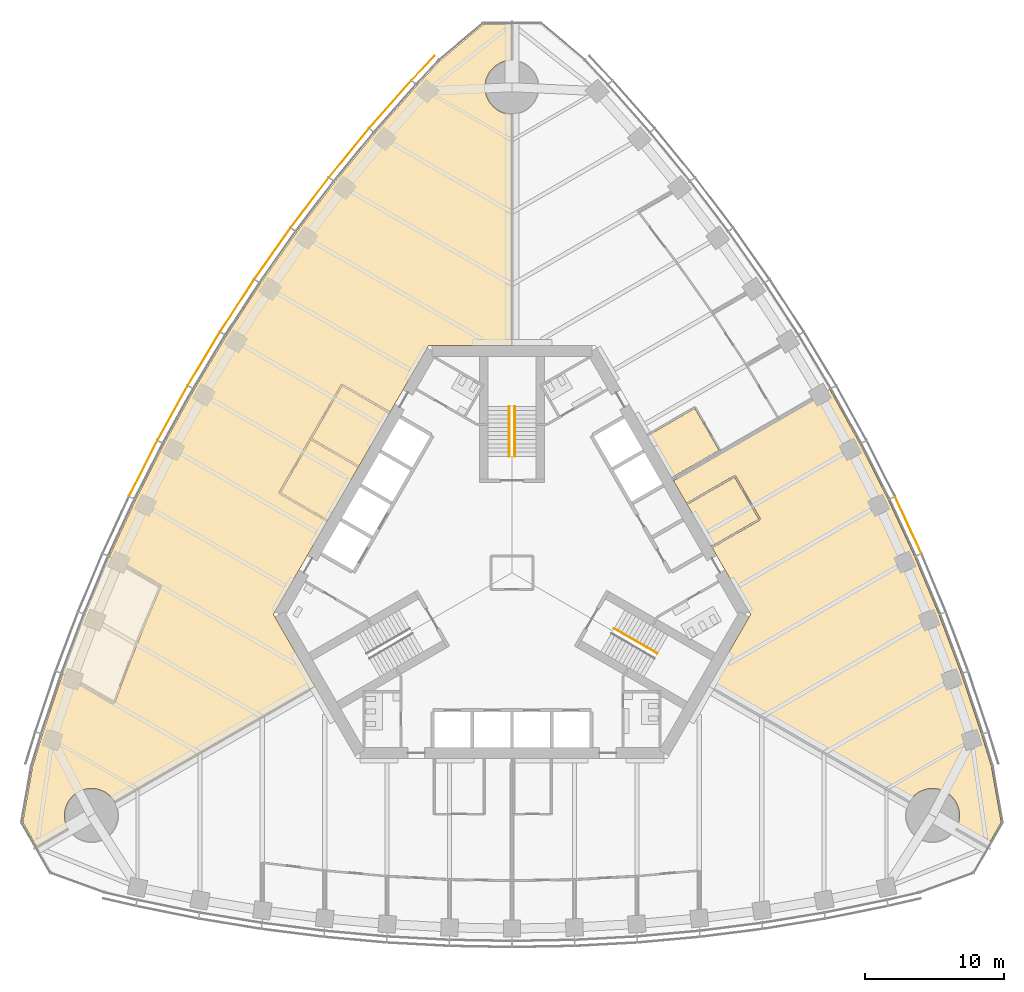
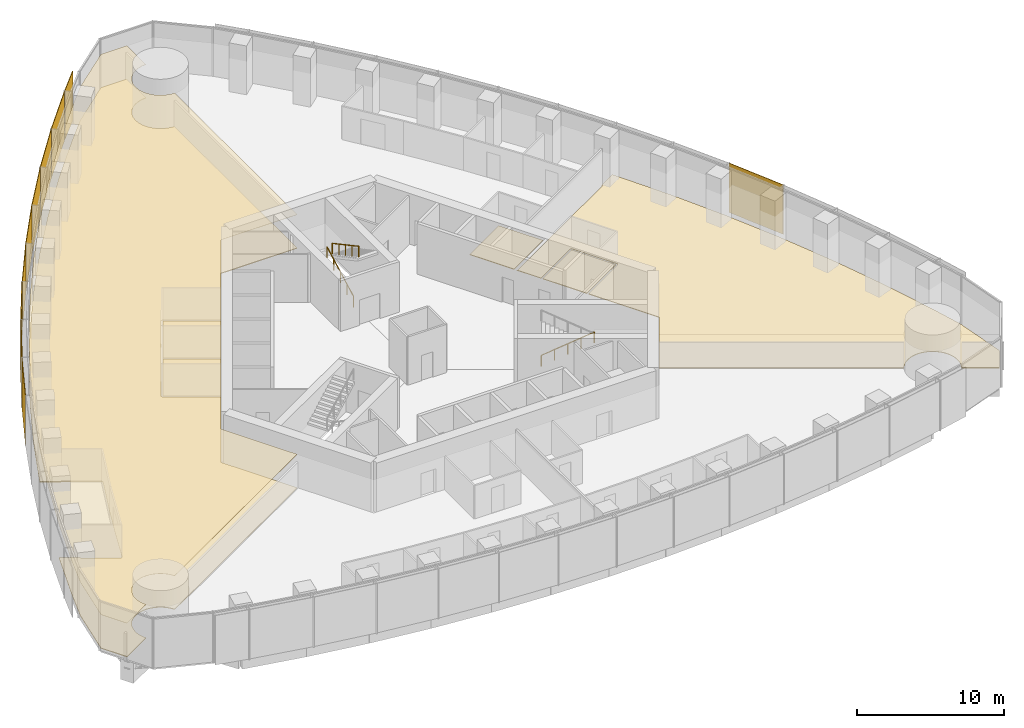
# One storey, part 16 of 19: 10 shading devices, 7 coverings, 3 railings.
"""IFC4 building model written with IfcOpenShell, lengths in metres."""

import ifcopenshell
import ifcopenshell.guid

model = None  # the IFC model being written
_history = None  # IfcOwnerHistory: only IFC2X3 demands one
_inside = {}  # id of a spatial element -> (the spatial element, [elements in it])
_under = {}  # id of a project, library or spatial element -> (it, [spatial elements below it])
_declared = {}  # id of a project -> (the project, [libraries it declares])
_typed = {}  # id of a type object -> (the type object, [elements of that type])
_made_of = {}  # id of a material, layer set ... -> (it, [elements and type objects made of it])


def new_model(schema):
    """Start an empty IFC model of exactly this schema.

    Asked for "IFC4X3", IfcOpenShell would pick the latest addendum, in which some entities
    have other attributes; the version numbers below select the first issue.
    IFC2X3 requires an IfcOwnerHistory on every rooted entity: one is made here for all.
    """
    global model, _history
    if schema == "IFC4X3":
        model = ifcopenshell.file(schema_version=(4, 3, 0, 0))
    else:
        model = ifcopenshell.file(schema=schema)
    _inside.clear()
    _under.clear()
    _declared.clear()
    _typed.clear()
    _made_of.clear()
    _history = None
    if model.schema == "IFC2X3":
        org = make("IfcOrganization", Name="unknown")
        user = make(
            "IfcPersonAndOrganization",
            ThePerson=make("IfcPerson", FamilyName="unknown"),
            TheOrganization=org,
        )
        app = make(
            "IfcApplication",
            ApplicationDeveloper=org,
            Version="unknown",
            ApplicationFullName="unknown",
            ApplicationIdentifier="unknown",
        )
        _history = make(
            "IfcOwnerHistory",
            OwningUser=user,
            OwningApplication=app,
            ChangeAction="ADDED",
            CreationDate=0,
        )
    return model


def make(cls, **values):
    """One entity of the class cls with the attributes given. An attribute that is None is left unset."""
    return model.create_entity(
        cls, **{name: value for name, value in values.items() if value is not None}
    )


def rooted(cls, **values):
    """An entity with a GlobalId (a new one), such as an element, a storey or a relation."""
    return make(cls, GlobalId=ifcopenshell.guid.new(), OwnerHistory=_history, **values)


def si_unit(unit_type, name, prefix=None):
    """IfcSIUnit, for example si_unit("LENGTHUNIT", "METRE", prefix="MILLI")."""
    return make("IfcSIUnit", UnitType=unit_type, Prefix=prefix, Name=name)


def assignment(units):
    """IfcUnitAssignment: the units of a project."""
    return None if units is None else make("IfcUnitAssignment", Units=units)


def point(xyz):
    """IfcCartesianPoint."""
    return None if xyz is None else make("IfcCartesianPoint", Coordinates=xyz)


def direction(xyz):
    """IfcDirection."""
    return None if xyz is None else make("IfcDirection", DirectionRatios=xyz)


def frame(location, z_axis=None, x_axis=None):
    """IfcAxis2Placement3D, a coordinate frame: its origin and axes. An axis left out is left unset."""
    return make(
        "IfcAxis2Placement3D",
        Location=point(location),
        Axis=direction(z_axis),
        RefDirection=direction(x_axis),
    )


def frame_2d(location, x_axis=None):
    """IfcAxis2Placement2D, a coordinate frame in the plane: its origin and x axis."""
    return make(
        "IfcAxis2Placement2D", Location=point(location), RefDirection=direction(x_axis)
    )


def origin():
    """The frame at (0, 0, 0) with its axes left unset."""
    return frame((0.0, 0.0, 0.0))


def origin_2d():
    """The frame at (0, 0) in the plane with its x axis left unset."""
    return frame_2d((0.0, 0.0))


def place(relative_to, where):
    """IfcLocalPlacement: puts the frame where relative to a parent placement (None: the world)."""
    return make(
        "IfcLocalPlacement", PlacementRelTo=relative_to, RelativePlacement=where
    )


def context(
    kind, dimensions, precision=None, world=None, true_north=None, identifier=None
):
    """IfcGeometricRepresentationContext, for example the 3D "Model" context."""
    return make(
        "IfcGeometricRepresentationContext",
        ContextIdentifier=identifier,
        ContextType=kind,
        CoordinateSpaceDimension=dimensions,
        Precision=precision,
        WorldCoordinateSystem=world,
        TrueNorth=true_north,
    )


def subcontext(parent, identifier, kind, view, scale=None):
    """IfcGeometricRepresentationSubContext, for example "Body" below "Model"."""
    return make(
        "IfcGeometricRepresentationSubContext",
        ContextIdentifier=identifier,
        ContextType=kind,
        ParentContext=parent,
        TargetScale=scale,
        TargetView=view,
    )


def project(units=None, contexts=None):
    """IfcProject with its units and contexts."""
    return rooted(
        "IfcProject",
        Name="project",
        RepresentationContexts=contexts,
        UnitsInContext=assignment(units),
    )


def spatial(cls, under=None, at=None, **own):
    """A site, building, storey or space (cls), placed at a placement, below another one or the project."""
    s = rooted(cls, ObjectPlacement=at, **own)
    if under is not None:
        _under.setdefault(under.id(), (under, []))[1].append(s)
    return s


def polyline(points):
    """IfcPolyline through the points."""
    return make("IfcPolyline", Points=[point(p) for p in points])


def profile(cls, at=None, kind="AREA", **sizes):
    """A parametric profile (cls). Its sizes go by their IFC names, for example OverallWidth=200.0."""
    return make(cls, ProfileType=kind, Position=at, **sizes)


def rectangle(**sizes):
    """IfcRectangleProfileDef."""
    return profile("IfcRectangleProfileDef", **sizes)


def circle(**sizes):
    """IfcCircleProfileDef."""
    return profile("IfcCircleProfileDef", **sizes)


def outline(outer, holes=None, kind="AREA"):
    """IfcArbitraryClosedProfileDef: a profile drawn as a closed curve; with holes, ...WithVoids."""
    if holes is None:
        return make("IfcArbitraryClosedProfileDef", ProfileType=kind, OuterCurve=outer)
    return make(
        "IfcArbitraryProfileDefWithVoids",
        ProfileType=kind,
        OuterCurve=outer,
        InnerCurves=holes,
    )


def extrude(swept, where, along, depth):
    """IfcExtrudedAreaSolid: the profile swept, set in the frame where, extruded along a direction by depth."""
    return make(
        "IfcExtrudedAreaSolid",
        SweptArea=swept,
        Position=where,
        ExtrudedDirection=direction(along),
        Depth=depth,
    )


def shape(context_of_items, identifier, shape_type, items):
    """IfcShapeRepresentation: the items that make up one representation, for example the "Body"."""
    return make(
        "IfcShapeRepresentation",
        ContextOfItems=context_of_items,
        RepresentationIdentifier=identifier,
        RepresentationType=shape_type,
        Items=items,
    )


def material(Name=None, Category=None):
    """IfcMaterial."""
    return make("IfcMaterial", Name=Name, Category=Category)


def layer(
    of_material, thickness, ventilated=None, Name=None, Category=None, Priority=None
):
    """IfcMaterialLayer: one layer of a wall or slab, of a material (None: an air gap)."""
    return make(
        "IfcMaterialLayer",
        Material=of_material,
        LayerThickness=thickness,
        IsVentilated=ventilated,
        Name=Name,
        Category=Category,
        Priority=Priority,
    )


def layer_set(layers, Name=None):
    """IfcMaterialLayerSet."""
    return make("IfcMaterialLayerSet", MaterialLayers=layers, LayerSetName=Name)


def made_of(thing, what):
    """Note that an element or type object is made of a material, layer set ...; save() writes the relation."""
    if what is not None:
        _made_of.setdefault(what.id(), (what, []))[1].append(thing)
    return thing


def type_object(cls, material=None, **own):
    """A type object (cls), such as IfcWallType, which elements share."""
    return made_of(rooted(cls, **own), material)


def element(
    cls,
    number,
    at=None,
    inside=None,
    cuts=None,
    type_object=None,
    material=None,
    context=None,
    identifier="Body",
    shape_type=None,
    held_by="IfcProductDefinitionShape",
    body=None,
    shapes=None,
    **own,
):
    """One element of the class cls, such as IfcWall. Its Tag is "e" and its number.

    at: its placement. inside: the storey or other place that contains it. cuts: it is an
    opening in that element (IfcRelVoidsElement). A single representation is given by context,
    identifier, shape_type and body (its items); several are given by shapes. held_by: the class
    of the entity that holds the representations. save() writes the other relations.
    """
    e = rooted(cls, Tag="e%d" % number, ObjectPlacement=at, **own)
    if body is not None:
        shapes = [shape(context, identifier, shape_type, body)]
    if shapes is not None:
        e.Representation = make(held_by, Representations=shapes)
    if inside is not None:
        _inside.setdefault(inside.id(), (inside, []))[1].append(e)
    if cuts is not None:
        rooted(
            "IfcRelVoidsElement", RelatingBuildingElement=cuts, RelatedOpeningElement=e
        )
    if type_object is not None:
        _typed.setdefault(type_object.id(), (type_object, []))[1].append(e)
    return made_of(e, material)


def aggregate(whole, parts):
    """IfcRelAggregates: a whole, such as a stair, and the parts it consists of."""
    return rooted("IfcRelAggregates", RelatingObject=whole, RelatedObjects=parts)


def save(model, path):
    """Write the relations noted so far, then the file.

    IfcRelAggregates (storeys below a building ...), IfcRelContainedInSpatialStructure (elements
    in a storey), IfcRelDefinesByType, IfcRelAssociatesMaterial and IfcRelDeclares: one each for
    every whole, place, type object, material and project.
    """
    for whole, parts in _under.values():
        aggregate(whole, parts)
    for where, things in _inside.values():
        rooted(
            "IfcRelContainedInSpatialStructure",
            RelatedElements=things,
            RelatingStructure=where,
        )
    for kind, things in _typed.values():
        rooted("IfcRelDefinesByType", RelatedObjects=things, RelatingType=kind)
    for what, things in _made_of.values():
        rooted("IfcRelAssociatesMaterial", RelatedObjects=things, RelatingMaterial=what)
    for by, libraries in _declared.values():
        rooted("IfcRelDeclares", RelatingContext=by, RelatedDefinitions=libraries)
    model.write(path)


model = new_model("IFC4")

# Units and contexts
model_context = context("Model", 3, precision=1e-05, world=origin(), true_north=direction((0.0, 1.0)))
body_context = subcontext(model_context, "Body", "Model", "MODEL_VIEW")
ifc_project = project(units=[si_unit("LENGTHUNIT", "METRE"), si_unit("AREAUNIT", "SQUARE_METRE"), si_unit("VOLUMEUNIT", "CUBIC_METRE"), si_unit("PLANEANGLEUNIT", "RADIAN"), si_unit("MASSUNIT", "GRAM", prefix="KILO")], contexts=[model_context])

# Site, building, storey
site_placement = place(None, origin())
site = spatial("IfcSite", under=ifc_project, at=site_placement, CompositionType="ELEMENT")
building_placement = place(site_placement, origin())
building = spatial("IfcBuilding", under=site, at=building_placement, Name="Trefoil Bronze Tower", CompositionType="ELEMENT")
storey_placement = place(building_placement, frame((0.0, 0.0, 140.89990234375)))
storey = spatial("IfcBuildingStorey", under=building, at=storey_placement, Name="L32", CompositionType="ELEMENT", Elevation=140.89990234375)

# Shading devices
ifc_material_1 = material(Name="Perforated bronze sheet", Category="bronze")
ifc_layer_1 = layer(ifc_material_1, 0.0400390625)
ifc_layer_set_1 = layer_set([ifc_layer_1], Name="Bronze solar screen panel")
shading_device_type = type_object("IfcShadingDeviceType", Name="Bronze solar screen panel", PredefinedType="SHUTTER", material=ifc_layer_set_1)
shading_device_1_placement = place(storey_placement, frame((28.563720703125, 3.444580078125, 0.050048828125), z_axis=(0.0, 0.0, 1.0), x_axis=(-0.419932995871, 0.907555110712, 0.0)))
element("IfcShadingDevice", 1, at=shading_device_1_placement, inside=storey, type_object=shading_device_type, Name="Solar screen CW-A L32 F2 bay 5", PredefinedType="SHUTTER", context=body_context, shape_type="SweptSolid", body=[
    extrude(rectangle(XDim=4.48828125, YDim=0.0400390625, at=origin_2d()), origin(), (0.0, 0.0, 1.0), 4.10009765625),
])
shading_device_2_placement = place(storey_placement, frame((-6.416748046875, 36.383544921875, 0.050048828125), z_axis=(0.0, 0.0, 1.0), x_axis=(-0.682535770759, -0.730852188636, 0.0)))
element("IfcShadingDevice", 2, at=shading_device_2_placement, inside=storey, type_object=shading_device_type, Name="Solar screen CW-A L32 F3 bay 1", PredefinedType="SHUTTER", context=body_context, shape_type="SweptSolid", body=[
    extrude(rectangle(XDim=2.39013671875, YDim=0.0400390625, at=origin_2d()), origin(), (0.0, 0.0, 1.0), 4.10009765625),
])
shading_device_3_placement = place(storey_placement, frame((-8.77197265625, 33.766845703125, 0.050048828125), z_axis=(0.0, 0.0, 1.0), x_axis=(-0.661751405978, -0.749723333428, 0.0)))
element("IfcShadingDevice", 3, at=shading_device_3_placement, inside=storey, type_object=shading_device_type, Name="Solar screen CW-A L32 F3 bay 2", PredefinedType="SHUTTER", context=body_context, shape_type="SweptSolid", body=[
    extrude(rectangle(XDim=4.56103515625, YDim=0.0400390625, at=origin_2d()), origin(), (0.0, 0.0, 1.0), 4.10009765625),
])
shading_device_4_placement = place(storey_placement, frame((-11.7490234375, 30.26708984375, 0.050048828125), z_axis=(0.0, 0.0, 1.0), x_axis=(-0.633839916024, -0.773464259584, 0.0)))
element("IfcShadingDevice", 4, at=shading_device_4_placement, inside=storey, type_object=shading_device_type, Name="Solar screen CW-A L32 F3 bay 3", PredefinedType="SHUTTER", context=body_context, shape_type="SweptSolid", body=[
    extrude(rectangle(XDim=4.5302734375, YDim=0.0400390625, at=origin_2d()), origin(), (0.0, 0.0, 1.0), 4.10009765625),
])
shading_device_5_placement = place(storey_placement, frame((-14.579345703125, 26.6826171875, 0.050048828125), z_axis=(0.0, 0.0, 1.0), x_axis=(-0.605252319983, -0.796033685943, 0.0)))
element("IfcShadingDevice", 5, at=shading_device_5_placement, inside=storey, type_object=shading_device_type, Name="Solar screen CW-A L32 F3 bay 4", PredefinedType="SHUTTER", context=body_context, shape_type="SweptSolid", body=[
    extrude(rectangle(XDim=4.50634765625, YDim=0.0400390625, at=origin_2d()), origin(), (0.0, 0.0, 1.0), 4.10009765625),
])
shading_device_6_placement = place(storey_placement, frame((-17.264892578125, 23.014404296875, 0.050048828125), z_axis=(0.0, 0.0, 1.0), x_axis=(-0.575999283275, -0.817450197667, 0.0)))
element("IfcShadingDevice", 6, at=shading_device_6_placement, inside=storey, type_object=shading_device_type, Name="Solar screen CW-A L32 F3 bay 5", PredefinedType="SHUTTER", context=body_context, shape_type="SweptSolid", body=[
    extrude(rectangle(XDim=4.48828125, YDim=0.0400390625, at=origin_2d()), origin(), (0.0, 0.0, 1.0), 4.10009765625),
])
shading_device_7_placement = place(storey_placement, frame((-19.8076171875, 19.263916015625, 0.050048828125), z_axis=(0.0, 0.0, 1.0), x_axis=(-0.546088612237, -0.837727418427, 0.0)))
element("IfcShadingDevice", 7, at=shading_device_7_placement, inside=storey, type_object=shading_device_type, Name="Solar screen CW-A L32 F3 bay 6", PredefinedType="SHUTTER", context=body_context, shape_type="SweptSolid", body=[
    extrude(rectangle(XDim=4.4765625, YDim=0.0400390625, at=origin_2d()), origin(), (0.0, 0.0, 1.0), 4.10009765625),
])
for number, where, z_axis, x_axis, name in (
    (8, (-22.208740234375, 15.431396484375, 0.050048828125), (0.0, 0.0, 1.0), (-0.515525413486, -0.856874289526, 0.0), "Solar screen CW-A L32 F3 bay 7"),
    (9, (-24.468505859375, 11.517578125, 0.050048828125), (0.0, 0.0, 1.0), (-0.484312195836, -0.874895249138, 0.0), "Solar screen CW-A L32 F3 bay 8"),
):
    element("IfcShadingDevice", number, at=place(storey_placement, frame(where, z_axis=z_axis, x_axis=x_axis)), inside=storey, type_object=shading_device_type, Name=name, PredefinedType="SHUTTER", context=body_context, shape_type="SweptSolid", body=[
        extrude(rectangle(XDim=4.470703125, YDim=0.0400390625, at=origin_2d()), origin(), (0.0, 0.0, 1.0), 4.10009765625),
    ])
shading_device_8_placement = place(storey_placement, frame((-26.5869140625, 7.52197265625, 0.050048828125), z_axis=(0.0, 0.0, 1.0), x_axis=(-0.452448919686, -0.891790320128, 0.0)))
element("IfcShadingDevice", 10, at=shading_device_8_placement, inside=storey, type_object=shading_device_type, Name="Solar screen CW-A L32 F3 bay 9", PredefinedType="SHUTTER", context=body_context, shape_type="SweptSolid", body=[
    extrude(rectangle(XDim=4.4765625, YDim=0.0400390625, at=origin_2d()), origin(), (0.0, 0.0, 1.0), 4.10009765625),
])

# Railings
ifc_material_2 = material(Name="Steel handrail", Category="steel")
railing_type = type_object("IfcRailingType", Name="Handrail 900", PredefinedType="HANDRAIL", material=ifc_material_2)
railing_1_placement = place(storey_placement, frame((7.365966796875, -4.021728515625, 0.16162109375)))
element("IfcRailing", 11, at=railing_1_placement, inside=storey, type_object=railing_type, Name="Handrail ST1 flight 1 L32", PredefinedType="HANDRAIL", context=body_context, shape_type="SweptSolid", body=[
    extrude(circle(Radius=0.02392578125, at=origin_2d()), frame((0.0, 0.0, 0.8759765625), z_axis=(0.76250339821, -0.440245697338, 0.474101564745), x_axis=(0.500012057535, 0.866018442252, 0.0)), (0.0, 0.0, 1.0), 4.088623046875),
    extrude(circle(Radius=0.02099609375, at=origin_2d()), origin(), (0.0, 0.0, 1.0), 0.851806640625),
    extrude(circle(Radius=0.02099609375, at=origin_2d()), frame((0.779296875, -0.449951171875, 0.484619140625)), (0.0, 0.0, 1.0), 0.851806640625),
    extrude(circle(Radius=0.02099609375, at=origin_2d()), frame((1.558837890625, -0.89990234375, 0.96923828125)), (0.0, 0.0, 1.0), 0.851806640625),
    extrude(circle(Radius=0.02099609375, at=origin_2d()), frame((2.33837890625, -1.35009765625, 1.453857421875)), (0.0, 0.0, 1.0), 0.851806640625),
    extrude(circle(Radius=0.02099609375, at=origin_2d()), frame((3.11767578125, -1.800048828125, 1.9384765625)), (0.0, 0.0, 1.0), 0.851806640625),
])
railing_2_placement = place(storey_placement, frame((-0.199951171875, 8.389892578125, 0.16162109375)))
element("IfcRailing", 12, at=railing_2_placement, inside=storey, type_object=railing_type, Name="Handrail ST2 flight 1 L32", PredefinedType="HANDRAIL", context=body_context, shape_type="SweptSolid", body=[
    extrude(circle(Radius=0.02392578125, at=origin_2d()), frame((0.0, 0.0, 0.8759765625), z_axis=(0.0, 0.880474934443, 0.474092701714), x_axis=(-1.0, 0.0, 0.0)), (0.0, 0.0, 1.0), 4.0888671875),
    extrude(circle(Radius=0.02099609375, at=origin_2d()), origin(), (0.0, 0.0, 1.0), 0.851806640625),
    extrude(circle(Radius=0.02099609375, at=origin_2d()), frame((0.0, 0.89990234375, 0.484619140625)), (0.0, 0.0, 1.0), 0.851806640625),
    extrude(circle(Radius=0.02099609375, at=origin_2d()), frame((0.0, 1.800048828125, 0.96923828125)), (0.0, 0.0, 1.0), 0.851806640625),
    extrude(circle(Radius=0.02099609375, at=origin_2d()), frame((0.0, 2.7001953125, 1.453857421875)), (0.0, 0.0, 1.0), 0.851806640625),
    extrude(circle(Radius=0.02099609375, at=origin_2d()), frame((0.0, 3.60009765625, 1.9384765625)), (0.0, 0.0, 1.0), 0.851806640625),
])
railing_3_placement = place(storey_placement, frame((0.199951171875, 11.989990234375, 2.26171875)))
element("IfcRailing", 13, at=railing_3_placement, inside=storey, type_object=railing_type, Name="Handrail ST2 flight 2 L32", PredefinedType="HANDRAIL", context=body_context, shape_type="SweptSolid", body=[
    extrude(circle(Radius=0.02392578125, at=origin_2d()), frame((0.0, 0.0, 0.8759765625), z_axis=(0.0, -0.880474934443, 0.474092701714), x_axis=(1.0, 0.0, 0.0)), (0.0, 0.0, 1.0), 4.0888671875),
    extrude(circle(Radius=0.02099609375, at=origin_2d()), origin(), (0.0, 0.0, 1.0), 0.851806640625),
    extrude(circle(Radius=0.02099609375, at=origin_2d()), frame((0.0, -0.89990234375, 0.484619140625)), (0.0, 0.0, 1.0), 0.851806640625),
    extrude(circle(Radius=0.02099609375, at=origin_2d()), frame((0.0, -1.800048828125, 0.96923828125)), (0.0, 0.0, 1.0), 0.851806640625),
    extrude(circle(Radius=0.02099609375, at=origin_2d()), frame((0.0, -2.7001953125, 1.453857421875)), (0.0, 0.0, 1.0), 0.851806640625),
    extrude(circle(Radius=0.02099609375, at=origin_2d()), frame((0.0, -3.60009765625, 1.9384765625)), (0.0, 0.0, 1.0), 0.851806640625),
])

# Coverings
ifc_material_3 = material(Name="Acoustic ceiling panels", Category="mineral fibre")
ifc_layer_2 = layer(ifc_material_3, 0.02001953125)
ifc_layer_set_2 = layer_set([ifc_layer_2], Name="Office ceiling 20")
covering_type_1 = type_object("IfcCoveringType", Name="Office ceiling 20", PredefinedType="CEILING", material=ifc_layer_set_2)
covering_1_placement = place(storey_placement, frame((0.0, 0.0, 2.900146484375)))
element("IfcCovering", 14, at=covering_1_placement, inside=storey, type_object=covering_type_1, Name="Ceiling L32 Open-plan office F3", PredefinedType="CEILING", context=body_context, shape_type="SweptSolid", body=[
    extrude(outline(polyline([(-33.847900390625, -11.634765625), (-32.385986328125, -7.28271484375), (-30.776611328125, -3.015625), (-29.022216796875, 1.16748046875), (-27.124755859375, 5.268310546875), (-25.085693359375, 9.287109375), (-22.906005859375, 13.224853515625), (-20.585693359375, 17.081298828125), (-18.124755859375, 20.856689453125), (-15.522216796875, 24.55029296875), (-12.776611328125, 28.1611328125), (-9.885986328125, 31.6884765625), (-6.847900390625, 35.130615234375), (-5.1962890625, 36.8994140625), (-2.052001953125, 39.53759765625), (-0.014892578125, 39.53759765625), (-0.013916015625, 36.94970703125), (-0.095703125, 36.94775390625), (-0.191162109375, 36.940673828125), (-0.2861328125, 36.928955078125), (-0.38037109375, 36.91259765625), (-0.473876953125, 36.8916015625), (-0.566162109375, 36.865966796875), (-0.656982421875, 36.8359375), (-0.74609375, 36.801513671875), (-0.833740234375, 36.7626953125), (-0.919189453125, 36.7197265625), (-1.00244140625, 36.672607421875), (-1.08349609375, 36.621337890625), (-1.16162109375, 36.56640625), (-1.237060546875, 36.50732421875), (-1.3095703125, 36.44482421875), (-1.37890625, 36.37890625), (-1.44482421875, 36.3095703125), (-1.50732421875, 36.237060546875), (-1.56640625, 36.16162109375), (-1.621337890625, 36.08349609375), (-1.672607421875, 36.00244140625), (-1.7197265625, 35.919189453125), (-1.7626953125, 35.833740234375), (-1.801513671875, 35.74609375), (-1.8359375, 35.656982421875), (-1.865966796875, 35.566162109375), (-1.8916015625, 35.473876953125), (-1.91259765625, 35.38037109375), (-1.928955078125, 35.2861328125), (-1.940673828125, 35.191162109375), (-1.94775390625, 35.095703125), (-1.949951171875, 35.0), (-1.94775390625, 34.904296875), (-1.940673828125, 34.808837890625), (-1.928955078125, 34.7138671875), (-1.91259765625, 34.61962890625), (-1.8916015625, 34.526123046875), (-1.865966796875, 34.433837890625), (-1.8359375, 34.343017578125), (-1.801513671875, 34.25390625), (-1.7626953125, 34.166259765625), (-1.7197265625, 34.080810546875), (-1.672607421875, 33.99755859375), (-1.621337890625, 33.91650390625), (-1.56640625, 33.83837890625), (-1.50732421875, 33.762939453125), (-1.44482421875, 33.6904296875), (-1.37890625, 33.62109375), (-1.3095703125, 33.55517578125), (-1.237060546875, 33.49267578125), (-1.16162109375, 33.43359375), (-1.08349609375, 33.378662109375), (-1.00244140625, 33.327392578125), (-0.919189453125, 33.2802734375), (-0.833740234375, 33.2373046875), (-0.74609375, 33.198486328125), (-0.656982421875, 33.1640625), (-0.566162109375, 33.134033203125), (-0.473876953125, 33.1083984375), (-0.38037109375, 33.08740234375), (-0.2861328125, 33.071044921875), (-0.191162109375, 33.059326171875), (-0.095703125, 33.05224609375), (-0.012451171875, 33.05029296875), (-0.006103515625, 16.39990234375), (-6.00439453125, 16.39990234375), (-17.205078125, -3.0), (-14.205810546875, -8.194580078125), (-28.628662109375, -16.514404296875), (-28.689453125, -16.41650390625), (-28.74462890625, -16.33837890625), (-28.803466796875, -16.262939453125), (-28.865966796875, -16.1904296875), (-28.931884765625, -16.12109375), (-29.001220703125, -16.05517578125), (-29.07373046875, -15.99267578125), (-29.1494140625, -15.93359375), (-29.2275390625, -15.878662109375), (-29.308349609375, -15.827392578125), (-29.3916015625, -15.7802734375), (-29.477294921875, -15.7373046875), (-29.564697265625, -15.698486328125), (-29.654052734375, -15.6640625), (-29.744873046875, -15.634033203125), (-29.837158203125, -15.6083984375), (-29.930419921875, -15.58740234375), (-30.02490234375, -15.571044921875), (-30.119873046875, -15.559326171875), (-30.215087890625, -15.55224609375), (-30.310791015625, -15.550048828125), (-30.406494140625, -15.55224609375), (-30.501953125, -15.559326171875), (-30.596923828125, -15.571044921875), (-30.69140625, -15.58740234375), (-30.78466796875, -15.6083984375), (-30.876953125, -15.634033203125), (-30.9677734375, -15.6640625), (-31.05712890625, -15.698486328125), (-31.14453125, -15.7373046875), (-31.22998046875, -15.7802734375), (-31.3134765625, -15.827392578125), (-31.394287109375, -15.878662109375), (-31.472412109375, -15.93359375), (-31.548095703125, -15.99267578125), (-31.620361328125, -16.05517578125), (-31.689697265625, -16.12109375), (-31.755615234375, -16.1904296875), (-31.818359375, -16.262939453125), (-31.877197265625, -16.33837890625), (-31.932373046875, -16.41650390625), (-31.9833984375, -16.49755859375), (-32.030517578125, -16.580810546875), (-32.07373046875, -16.666259765625), (-32.112548828125, -16.75390625), (-32.14697265625, -16.843017578125), (-32.177001953125, -16.933837890625), (-32.202392578125, -17.026123046875), (-32.223388671875, -17.11962890625), (-32.23974609375, -17.2138671875), (-32.25146484375, -17.308837890625), (-32.258544921875, -17.404296875), (-32.260986328125, -17.5), (-32.258544921875, -17.595703125), (-32.25146484375, -17.691162109375), (-32.23974609375, -17.7861328125), (-32.223388671875, -17.88037109375), (-32.202392578125, -17.973876953125), (-32.177001953125, -18.066162109375), (-32.14697265625, -18.156982421875), (-32.112548828125, -18.24609375), (-32.07373046875, -18.333740234375), (-32.030517578125, -18.419189453125), (-32.006103515625, -18.462646484375), (-34.247802734375, -19.755859375), (-35.2666015625, -17.99169921875), (-34.5537109375, -13.94970703125), (-33.847900390625, -11.634765625)])), origin(), (0.0, 0.0, 1.0), 0.02001953125),
])
ifc_material_4 = material(Name="Raised access floor panels", Category="steel")
ifc_layer_3 = layer(ifc_material_4, 0.050048828125)
ifc_layer_set_3 = layer_set([ifc_layer_3], Name="Raised access floor 150")
covering_type_2 = type_object("IfcCoveringType", Name="Raised access floor 150", PredefinedType="FLOORING", material=ifc_layer_set_3)
covering_2_placement = place(storey_placement, frame((0.0, 0.0, 0.10009765625)))
element("IfcCovering", 15, at=covering_2_placement, inside=storey, type_object=covering_type_2, Name="Raised floor L32 Meeting room F2", PredefinedType="FLOORING", context=body_context, shape_type="SweptSolid", body=[
    extrude(outline(polyline([(12.634765625, 4.916015625), (16.046875, 6.885986328125), (17.786865234375, 3.872314453125), (14.374755859375, 1.902099609375), (12.634765625, 4.916015625)])), origin(), (0.0, 0.0, 1.0), 0.050048828125),
])
covering_3_placement = place(storey_placement, frame((0.0, 0.0, 0.10009765625)))
element("IfcCovering", 16, at=covering_3_placement, inside=storey, type_object=covering_type_2, Name="Raised floor L32 Meeting room F2", PredefinedType="FLOORING", context=body_context, shape_type="SweptSolid", body=[
    extrude(outline(polyline([(9.772216796875, 9.8740234375), (13.184326171875, 11.843994140625), (14.92431640625, 8.830078125), (11.51220703125, 6.860107421875), (9.772216796875, 9.8740234375)])), origin(), (0.0, 0.0, 1.0), 0.050048828125),
])
covering_4_placement = place(storey_placement, frame((0.0, 0.0, 0.10009765625)))
element("IfcCovering", 17, at=covering_4_placement, inside=storey, type_object=covering_type_2, Name="Raised floor L32 Open-plan office F2", PredefinedType="FLOORING", context=body_context, shape_type="SweptSolid", body=[
    extrude(outline(polyline([(14.205810546875, -8.194580078125), (17.205078125, -3.0), (14.434814453125, 1.79833984375), (17.898681640625, 3.79833984375), (17.868896484375, 3.850341796875), (17.9208984375, 3.88037109375), (16.120849609375, 6.997802734375), (16.06884765625, 6.968017578125), (16.038818359375, 7.02001953125), (12.57470703125, 5.02001953125), (11.605224609375, 6.69921875), (11.614013671875, 6.7041015625), (11.65087890625, 6.639892578125), (21.68359375, 12.432373046875), (21.646484375, 12.49658203125), (22.906494140625, 13.22412109375), (25.085693359375, 9.287109375), (27.124755859375, 5.268310546875), (29.022216796875, 1.16748046875), (30.776611328125, -3.015625), (32.385986328125, -7.28271484375), (33.847900390625, -11.634765625), (34.5537109375, -13.94970703125), (35.2666015625, -17.99169921875), (34.247802734375, -19.755859375), (32.006103515625, -18.462646484375), (32.030517578125, -18.419189453125), (32.07373046875, -18.333740234375), (32.112548828125, -18.24609375), (32.14697265625, -18.156982421875), (32.177001953125, -18.066162109375), (32.202392578125, -17.973876953125), (32.223388671875, -17.88037109375), (32.23974609375, -17.7861328125), (32.25146484375, -17.691162109375), (32.258544921875, -17.595703125), (32.260986328125, -17.5), (32.258544921875, -17.404296875), (32.25146484375, -17.308837890625), (32.23974609375, -17.2138671875), (32.223388671875, -17.11962890625), (32.202392578125, -17.026123046875), (32.177001953125, -16.933837890625), (32.14697265625, -16.843017578125), (32.112548828125, -16.75390625), (32.07373046875, -16.666259765625), (32.030517578125, -16.580810546875), (31.9833984375, -16.49755859375), (31.932373046875, -16.41650390625), (31.877197265625, -16.33837890625), (31.818359375, -16.262939453125), (31.755615234375, -16.1904296875), (31.689697265625, -16.12109375), (31.620361328125, -16.05517578125), (31.548095703125, -15.99267578125), (31.472412109375, -15.93359375), (31.394287109375, -15.878662109375), (31.3134765625, -15.827392578125), (31.22998046875, -15.7802734375), (31.14453125, -15.7373046875), (31.05712890625, -15.698486328125), (30.9677734375, -15.6640625), (30.876953125, -15.634033203125), (30.78466796875, -15.6083984375), (30.69140625, -15.58740234375), (30.596923828125, -15.571044921875), (30.501953125, -15.559326171875), (30.406494140625, -15.55224609375), (30.310791015625, -15.550048828125), (30.215087890625, -15.55224609375), (30.119873046875, -15.559326171875), (30.02490234375, -15.571044921875), (29.930419921875, -15.58740234375), (29.837158203125, -15.6083984375), (29.744873046875, -15.634033203125), (29.654052734375, -15.6640625), (29.564697265625, -15.698486328125), (29.477294921875, -15.7373046875), (29.3916015625, -15.7802734375), (29.308349609375, -15.827392578125), (29.2275390625, -15.878662109375), (29.1494140625, -15.93359375), (29.07373046875, -15.99267578125), (29.001220703125, -16.05517578125), (28.931884765625, -16.12109375), (28.865966796875, -16.1904296875), (28.803466796875, -16.262939453125), (28.74462890625, -16.33837890625), (28.689453125, -16.41650390625), (28.628662109375, -16.514404296875), (14.205810546875, -8.194580078125)])), origin(), (0.0, 0.0, 1.0), 0.050048828125),
])
covering_5_placement = place(storey_placement, frame((0.0, 0.0, 0.10009765625)))
element("IfcCovering", 18, at=covering_5_placement, inside=storey, type_object=covering_type_2, Name="Raised floor L32 Project room F3", PredefinedType="FLOORING", context=body_context, shape_type="SweptSolid", body=[
    extrude(outline(polyline([(-11.024658203125, 7.70458984375), (-14.43701171875, 9.674560546875), (-12.246826171875, 13.4677734375), (-8.834716796875, 11.497802734375), (-11.024658203125, 7.70458984375)])), origin(), (0.0, 0.0, 1.0), 0.050048828125),
])
covering_6_placement = place(storey_placement, frame((0.0, 0.0, 0.10009765625)))
element("IfcCovering", 19, at=covering_6_placement, inside=storey, type_object=covering_type_2, Name="Raised floor L32 Project room F3", PredefinedType="FLOORING", context=body_context, shape_type="SweptSolid", body=[
    extrude(outline(polyline([(-13.274658203125, 3.8076171875), (-16.68701171875, 5.777587890625), (-14.496826171875, 9.57080078125), (-11.084716796875, 7.6005859375), (-13.274658203125, 3.8076171875)])), origin(), (0.0, 0.0, 1.0), 0.050048828125),
])
covering_7_placement = place(storey_placement, frame((0.0, 0.0, 0.10009765625)))
element("IfcCovering", 20, at=covering_7_placement, inside=storey, type_object=covering_type_2, Name="Raised floor L32 Open-plan office F3", PredefinedType="FLOORING", context=body_context, shape_type="SweptSolid", body=[
    extrude(outline(polyline([(-33.847900390625, -11.634765625), (-32.385986328125, -7.28271484375), (-31.105224609375, -8.022216796875), (-31.13525390625, -8.07421875), (-28.735595703125, -9.459716796875), (-28.70556640625, -9.40771484375), (-28.6494140625, -9.4287109375), (-27.48388671875, -6.33837890625), (-26.556884765625, -4.01025390625), (-25.286376953125, -0.980712890625), (-25.341796875, -0.95751953125), (-25.311767578125, -0.905517578125), (-27.724853515625, 0.48779296875), (-27.7548828125, 0.435791015625), (-29.022216796875, 1.16748046875), (-27.124755859375, 5.268310546875), (-25.085693359375, 9.287109375), (-22.906005859375, 13.224853515625), (-20.585693359375, 17.081298828125), (-18.124755859375, 20.856689453125), (-15.522216796875, 24.55029296875), (-12.776611328125, 28.1611328125), (-9.885986328125, 31.6884765625), (-6.847900390625, 35.130615234375), (-5.1962890625, 36.8994140625), (-2.052001953125, 39.53759765625), (-0.014892578125, 39.53759765625), (-0.013916015625, 36.94970703125), (-0.095703125, 36.94775390625), (-0.191162109375, 36.940673828125), (-0.2861328125, 36.928955078125), (-0.38037109375, 36.91259765625), (-0.473876953125, 36.8916015625), (-0.566162109375, 36.865966796875), (-0.656982421875, 36.8359375), (-0.74609375, 36.801513671875), (-0.833740234375, 36.7626953125), (-0.919189453125, 36.7197265625), (-1.00244140625, 36.672607421875), (-1.08349609375, 36.621337890625), (-1.16162109375, 36.56640625), (-1.237060546875, 36.50732421875), (-1.3095703125, 36.44482421875), (-1.37890625, 36.37890625), (-1.44482421875, 36.3095703125), (-1.50732421875, 36.237060546875), (-1.56640625, 36.16162109375), (-1.621337890625, 36.08349609375), (-1.672607421875, 36.00244140625), (-1.7197265625, 35.919189453125), (-1.7626953125, 35.833740234375), (-1.801513671875, 35.74609375), (-1.8359375, 35.656982421875), (-1.865966796875, 35.566162109375), (-1.8916015625, 35.473876953125), (-1.91259765625, 35.38037109375), (-1.928955078125, 35.2861328125), (-1.940673828125, 35.191162109375), (-1.94775390625, 35.095703125), (-1.949951171875, 35.0), (-1.94775390625, 34.904296875), (-1.940673828125, 34.808837890625), (-1.928955078125, 34.7138671875), (-1.91259765625, 34.61962890625), (-1.8916015625, 34.526123046875), (-1.865966796875, 34.433837890625), (-1.8359375, 34.343017578125), (-1.801513671875, 34.25390625), (-1.7626953125, 34.166259765625), (-1.7197265625, 34.080810546875), (-1.672607421875, 33.99755859375), (-1.621337890625, 33.91650390625), (-1.56640625, 33.83837890625), (-1.50732421875, 33.762939453125), (-1.44482421875, 33.6904296875), (-1.37890625, 33.62109375), (-1.3095703125, 33.55517578125), (-1.237060546875, 33.49267578125), (-1.16162109375, 33.43359375), (-1.08349609375, 33.378662109375), (-1.00244140625, 33.327392578125), (-0.919189453125, 33.2802734375), (-0.833740234375, 33.2373046875), (-0.74609375, 33.198486328125), (-0.656982421875, 33.1640625), (-0.566162109375, 33.134033203125), (-0.473876953125, 33.1083984375), (-0.38037109375, 33.08740234375), (-0.2861328125, 33.071044921875), (-0.191162109375, 33.059326171875), (-0.095703125, 33.05224609375), (-0.012451171875, 33.05029296875), (-0.006103515625, 16.39990234375), (-6.00439453125, 16.39990234375), (-8.774658203125, 11.601806640625), (-12.23876953125, 13.601806640625), (-12.268798828125, 13.5498046875), (-12.32080078125, 13.57958984375), (-16.82080078125, 5.785400390625), (-16.768798828125, 5.755615234375), (-16.798828125, 5.70361328125), (-13.334716796875, 3.70361328125), (-17.205078125, -3.0), (-14.205810546875, -8.194580078125), (-28.628662109375, -16.514404296875), (-28.689453125, -16.41650390625), (-28.74462890625, -16.33837890625), (-28.803466796875, -16.262939453125), (-28.865966796875, -16.1904296875), (-28.931884765625, -16.12109375), (-29.001220703125, -16.05517578125), (-29.07373046875, -15.99267578125), (-29.1494140625, -15.93359375), (-29.2275390625, -15.878662109375), (-29.308349609375, -15.827392578125), (-29.3916015625, -15.7802734375), (-29.477294921875, -15.7373046875), (-29.564697265625, -15.698486328125), (-29.654052734375, -15.6640625), (-29.744873046875, -15.634033203125), (-29.837158203125, -15.6083984375), (-29.930419921875, -15.58740234375), (-30.02490234375, -15.571044921875), (-30.119873046875, -15.559326171875), (-30.215087890625, -15.55224609375), (-30.310791015625, -15.550048828125), (-30.406494140625, -15.55224609375), (-30.501953125, -15.559326171875), (-30.596923828125, -15.571044921875), (-30.69140625, -15.58740234375), (-30.78466796875, -15.6083984375), (-30.876953125, -15.634033203125), (-30.9677734375, -15.6640625), (-31.05712890625, -15.698486328125), (-31.14453125, -15.7373046875), (-31.22998046875, -15.7802734375), (-31.3134765625, -15.827392578125), (-31.394287109375, -15.878662109375), (-31.472412109375, -15.93359375), (-31.548095703125, -15.99267578125), (-31.620361328125, -16.05517578125), (-31.689697265625, -16.12109375), (-31.755615234375, -16.1904296875), (-31.818359375, -16.262939453125), (-31.877197265625, -16.33837890625), (-31.932373046875, -16.41650390625), (-31.9833984375, -16.49755859375), (-32.030517578125, -16.580810546875), (-32.07373046875, -16.666259765625), (-32.112548828125, -16.75390625), (-32.14697265625, -16.843017578125), (-32.177001953125, -16.933837890625), (-32.202392578125, -17.026123046875), (-32.223388671875, -17.11962890625), (-32.23974609375, -17.2138671875), (-32.25146484375, -17.308837890625), (-32.258544921875, -17.404296875), (-32.260986328125, -17.5), (-32.258544921875, -17.595703125), (-32.25146484375, -17.691162109375), (-32.23974609375, -17.7861328125), (-32.223388671875, -17.88037109375), (-32.202392578125, -17.973876953125), (-32.177001953125, -18.066162109375), (-32.14697265625, -18.156982421875), (-32.112548828125, -18.24609375), (-32.07373046875, -18.333740234375), (-32.030517578125, -18.419189453125), (-32.006103515625, -18.462646484375), (-34.247802734375, -19.755859375), (-35.2666015625, -17.99169921875), (-34.5537109375, -13.94970703125), (-33.847900390625, -11.634765625)])), origin(), (0.0, 0.0, 1.0), 0.050048828125),
])

save(model, "model.ifc")
